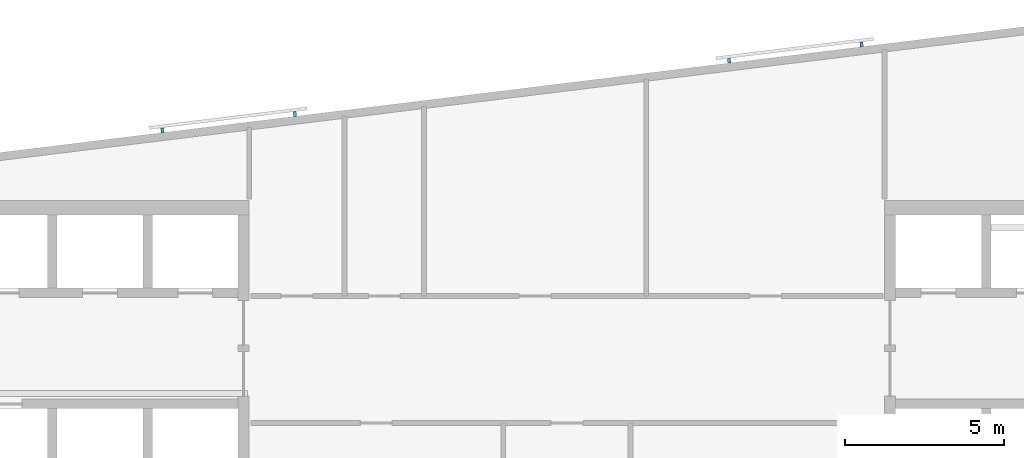
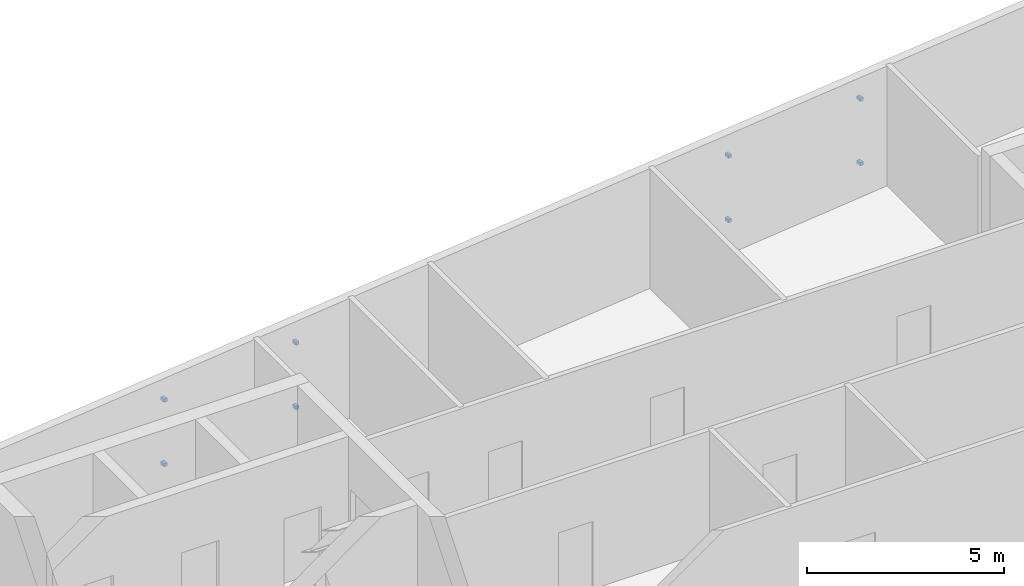
# One storey, part 10 of 13: 8 discrete accessories.
"""IFC4 building model written with IfcOpenShell, lengths in metres."""

import ifcopenshell
import ifcopenshell.guid

model = None  # the IFC model being written
_history = None  # IfcOwnerHistory: only IFC2X3 demands one
_inside = {}  # id of a spatial element -> (the spatial element, [elements in it])
_under = {}  # id of a project, library or spatial element -> (it, [spatial elements below it])
_declared = {}  # id of a project -> (the project, [libraries it declares])
_typed = {}  # id of a type object -> (the type object, [elements of that type])
_made_of = {}  # id of a material, layer set ... -> (it, [elements and type objects made of it])


def new_model(schema):
    """Start an empty IFC model of exactly this schema.

    Asked for "IFC4X3", IfcOpenShell would pick the latest addendum, in which some entities
    have other attributes; the version numbers below select the first issue.
    IFC2X3 requires an IfcOwnerHistory on every rooted entity: one is made here for all.
    """
    global model, _history
    if schema == "IFC4X3":
        model = ifcopenshell.file(schema_version=(4, 3, 0, 0))
    else:
        model = ifcopenshell.file(schema=schema)
    _inside.clear()
    _under.clear()
    _declared.clear()
    _typed.clear()
    _made_of.clear()
    _history = None
    if model.schema == "IFC2X3":
        org = make("IfcOrganization", Name="unknown")
        user = make(
            "IfcPersonAndOrganization",
            ThePerson=make("IfcPerson", FamilyName="unknown"),
            TheOrganization=org,
        )
        app = make(
            "IfcApplication",
            ApplicationDeveloper=org,
            Version="unknown",
            ApplicationFullName="unknown",
            ApplicationIdentifier="unknown",
        )
        _history = make(
            "IfcOwnerHistory",
            OwningUser=user,
            OwningApplication=app,
            ChangeAction="ADDED",
            CreationDate=0,
        )
    return model


def make(cls, **values):
    """One entity of the class cls with the attributes given. An attribute that is None is left unset."""
    return model.create_entity(
        cls, **{name: value for name, value in values.items() if value is not None}
    )


def rooted(cls, **values):
    """An entity with a GlobalId (a new one), such as an element, a storey or a relation."""
    return make(cls, GlobalId=ifcopenshell.guid.new(), OwnerHistory=_history, **values)


def si_unit(unit_type, name, prefix=None):
    """IfcSIUnit, for example si_unit("LENGTHUNIT", "METRE", prefix="MILLI")."""
    return make("IfcSIUnit", UnitType=unit_type, Prefix=prefix, Name=name)


def assignment(units):
    """IfcUnitAssignment: the units of a project."""
    return None if units is None else make("IfcUnitAssignment", Units=units)


def point(xyz):
    """IfcCartesianPoint."""
    return None if xyz is None else make("IfcCartesianPoint", Coordinates=xyz)


def direction(xyz):
    """IfcDirection."""
    return None if xyz is None else make("IfcDirection", DirectionRatios=xyz)


def frame(location, z_axis=None, x_axis=None):
    """IfcAxis2Placement3D, a coordinate frame: its origin and axes. An axis left out is left unset."""
    return make(
        "IfcAxis2Placement3D",
        Location=point(location),
        Axis=direction(z_axis),
        RefDirection=direction(x_axis),
    )


def frame_2d(location, x_axis=None):
    """IfcAxis2Placement2D, a coordinate frame in the plane: its origin and x axis."""
    return make(
        "IfcAxis2Placement2D", Location=point(location), RefDirection=direction(x_axis)
    )


def origin():
    """The frame at (0, 0, 0) with its axes left unset."""
    return frame((0.0, 0.0, 0.0))


def origin_2d():
    """The frame at (0, 0) in the plane with its x axis left unset."""
    return frame_2d((0.0, 0.0))


def place(relative_to, where):
    """IfcLocalPlacement: puts the frame where relative to a parent placement (None: the world)."""
    return make(
        "IfcLocalPlacement", PlacementRelTo=relative_to, RelativePlacement=where
    )


def context(
    kind, dimensions, precision=None, world=None, true_north=None, identifier=None
):
    """IfcGeometricRepresentationContext, for example the 3D "Model" context."""
    return make(
        "IfcGeometricRepresentationContext",
        ContextIdentifier=identifier,
        ContextType=kind,
        CoordinateSpaceDimension=dimensions,
        Precision=precision,
        WorldCoordinateSystem=world,
        TrueNorth=true_north,
    )


def subcontext(parent, identifier, kind, view, scale=None):
    """IfcGeometricRepresentationSubContext, for example "Body" below "Model"."""
    return make(
        "IfcGeometricRepresentationSubContext",
        ContextIdentifier=identifier,
        ContextType=kind,
        ParentContext=parent,
        TargetScale=scale,
        TargetView=view,
    )


def project(units=None, contexts=None):
    """IfcProject with its units and contexts."""
    return rooted(
        "IfcProject",
        Name="project",
        RepresentationContexts=contexts,
        UnitsInContext=assignment(units),
    )


def spatial(cls, under=None, at=None, **own):
    """A site, building, storey or space (cls), placed at a placement, below another one or the project."""
    s = rooted(cls, ObjectPlacement=at, **own)
    if under is not None:
        _under.setdefault(under.id(), (under, []))[1].append(s)
    return s


def profile(cls, at=None, kind="AREA", **sizes):
    """A parametric profile (cls). Its sizes go by their IFC names, for example OverallWidth=200.0."""
    return make(cls, ProfileType=kind, Position=at, **sizes)


def rectangle(**sizes):
    """IfcRectangleProfileDef."""
    return profile("IfcRectangleProfileDef", **sizes)


def extrude(swept, where, along, depth):
    """IfcExtrudedAreaSolid: the profile swept, set in the frame where, extruded along a direction by depth."""
    return make(
        "IfcExtrudedAreaSolid",
        SweptArea=swept,
        Position=where,
        ExtrudedDirection=direction(along),
        Depth=depth,
    )


def shape(context_of_items, identifier, shape_type, items):
    """IfcShapeRepresentation: the items that make up one representation, for example the "Body"."""
    return make(
        "IfcShapeRepresentation",
        ContextOfItems=context_of_items,
        RepresentationIdentifier=identifier,
        RepresentationType=shape_type,
        Items=items,
    )


def material(Name=None, Category=None):
    """IfcMaterial."""
    return make("IfcMaterial", Name=Name, Category=Category)


def made_of(thing, what):
    """Note that an element or type object is made of a material, layer set ...; save() writes the relation."""
    if what is not None:
        _made_of.setdefault(what.id(), (what, []))[1].append(thing)
    return thing


def type_object(cls, material=None, **own):
    """A type object (cls), such as IfcWallType, which elements share."""
    return made_of(rooted(cls, **own), material)


def element(
    cls,
    number,
    at=None,
    inside=None,
    cuts=None,
    type_object=None,
    material=None,
    context=None,
    identifier="Body",
    shape_type=None,
    held_by="IfcProductDefinitionShape",
    body=None,
    shapes=None,
    **own,
):
    """One element of the class cls, such as IfcWall. Its Tag is "e" and its number.

    at: its placement. inside: the storey or other place that contains it. cuts: it is an
    opening in that element (IfcRelVoidsElement). A single representation is given by context,
    identifier, shape_type and body (its items); several are given by shapes. held_by: the class
    of the entity that holds the representations. save() writes the other relations.
    """
    e = rooted(cls, Tag="e%d" % number, ObjectPlacement=at, **own)
    if body is not None:
        shapes = [shape(context, identifier, shape_type, body)]
    if shapes is not None:
        e.Representation = make(held_by, Representations=shapes)
    if inside is not None:
        _inside.setdefault(inside.id(), (inside, []))[1].append(e)
    if cuts is not None:
        rooted(
            "IfcRelVoidsElement", RelatingBuildingElement=cuts, RelatedOpeningElement=e
        )
    if type_object is not None:
        _typed.setdefault(type_object.id(), (type_object, []))[1].append(e)
    return made_of(e, material)


def aggregate(whole, parts):
    """IfcRelAggregates: a whole, such as a stair, and the parts it consists of."""
    return rooted("IfcRelAggregates", RelatingObject=whole, RelatedObjects=parts)


def save(model, path):
    """Write the relations noted so far, then the file.

    IfcRelAggregates (storeys below a building ...), IfcRelContainedInSpatialStructure (elements
    in a storey), IfcRelDefinesByType, IfcRelAssociatesMaterial and IfcRelDeclares: one each for
    every whole, place, type object, material and project.
    """
    for whole, parts in _under.values():
        aggregate(whole, parts)
    for where, things in _inside.values():
        rooted(
            "IfcRelContainedInSpatialStructure",
            RelatedElements=things,
            RelatingStructure=where,
        )
    for kind, things in _typed.values():
        rooted("IfcRelDefinesByType", RelatedObjects=things, RelatingType=kind)
    for what, things in _made_of.values():
        rooted("IfcRelAssociatesMaterial", RelatedObjects=things, RelatingMaterial=what)
    for by, libraries in _declared.values():
        rooted("IfcRelDeclares", RelatingContext=by, RelatedDefinitions=libraries)
    model.write(path)


model = new_model("IFC4")

# Units and contexts
model_context = context("Model", 3, precision=1e-05, world=origin(), true_north=direction((0.0, 1.0)))
body_context = subcontext(model_context, "Body", "Model", "MODEL_VIEW")
ifc_project = project(units=[si_unit("LENGTHUNIT", "METRE"), si_unit("AREAUNIT", "SQUARE_METRE"), si_unit("VOLUMEUNIT", "CUBIC_METRE"), si_unit("PLANEANGLEUNIT", "RADIAN"), si_unit("MASSUNIT", "GRAM", prefix="KILO")], contexts=[model_context])

# Site, building, storey
site_placement = place(None, origin())
site = spatial("IfcSite", under=ifc_project, at=site_placement, CompositionType="ELEMENT")
building_placement = place(site_placement, origin())
building = spatial("IfcBuilding", under=site, at=building_placement, Name="Torana Hotel and Residences", CompositionType="ELEMENT")
storey_placement = place(building_placement, frame((0.0, 0.0, 314.60009765625)))
storey = spatial("IfcBuildingStorey", under=building, at=storey_placement, Name="L83", CompositionType="ELEMENT", Elevation=314.60009765625)

# Discrete accessories
ifc_material = material(Name="Steel S355", Category="steel")
discrete_accessory_type = type_object("IfcDiscreteAccessoryType", Name="SCREEN BRACKET 100", PredefinedType="BRACKET", material=ifc_material)
for number, where, z_axis, x_axis, name in (
    (1, (9.277587890625, 4.920654296875, 0.749755859375), (0.0, 0.0, 1.0), (-0.99254657704, -0.121865878765, 0.0), "Screen bracket L83"),
    (2, (9.277587890625, 4.920654296875, 2.749755859375), (0.0, 0.0, 1.0), (-0.99254657704, -0.121865878765, 0.0), "Screen bracket L83"),
    (3, (5.10888671875, 4.40869140625, 0.749755859375), (0.0, 0.0, 1.0), (-0.99254657704, -0.121865878765, 0.0), "Screen bracket L83"),
    (4, (5.10888671875, 4.40869140625, 2.749755859375), (0.0, 0.0, 1.0), (-0.99254657704, -0.121865878765, 0.0), "Screen bracket L83"),
    (5, (-8.563720703125, 2.72998046875, 0.749755859375), (0.0, 0.0, 1.0), (-0.99254657704, -0.121865878765, 0.0), "Screen bracket L83"),
    (6, (-8.563720703125, 2.72998046875, 2.749755859375), (0.0, 0.0, 1.0), (-0.99254657704, -0.121865878765, 0.0), "Screen bracket L83"),
    (7, (-12.732421875, 2.218017578125, 0.749755859375), (0.0, 0.0, 1.0), (-0.99254657704, -0.121865878765, 0.0), "Screen bracket L83"),
    (8, (-12.732421875, 2.218017578125, 2.749755859375), (0.0, 0.0, 1.0), (-0.99254657704, -0.121865878765, 0.0), "Screen bracket L83"),
):
    element("IfcDiscreteAccessory", number, at=place(storey_placement, frame(where, z_axis=z_axis, x_axis=x_axis)), inside=storey, type_object=discrete_accessory_type, Name=name, PredefinedType="BRACKET", context=body_context, shape_type="SweptSolid", body=[
        extrude(rectangle(XDim=0.10009765625, YDim=0.14990234375, at=origin_2d()), origin(), (0.0, 0.0, 1.0), 0.10009765625),
    ])

save(model, "model.ifc")
